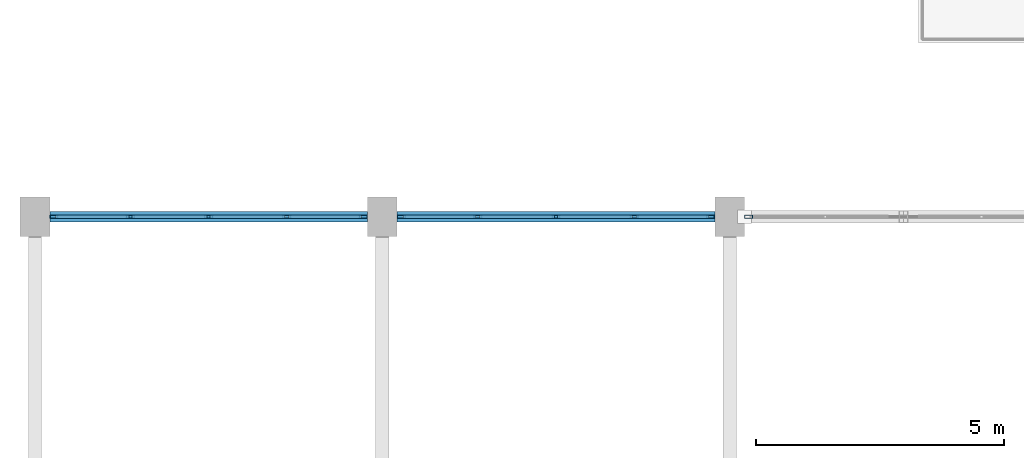
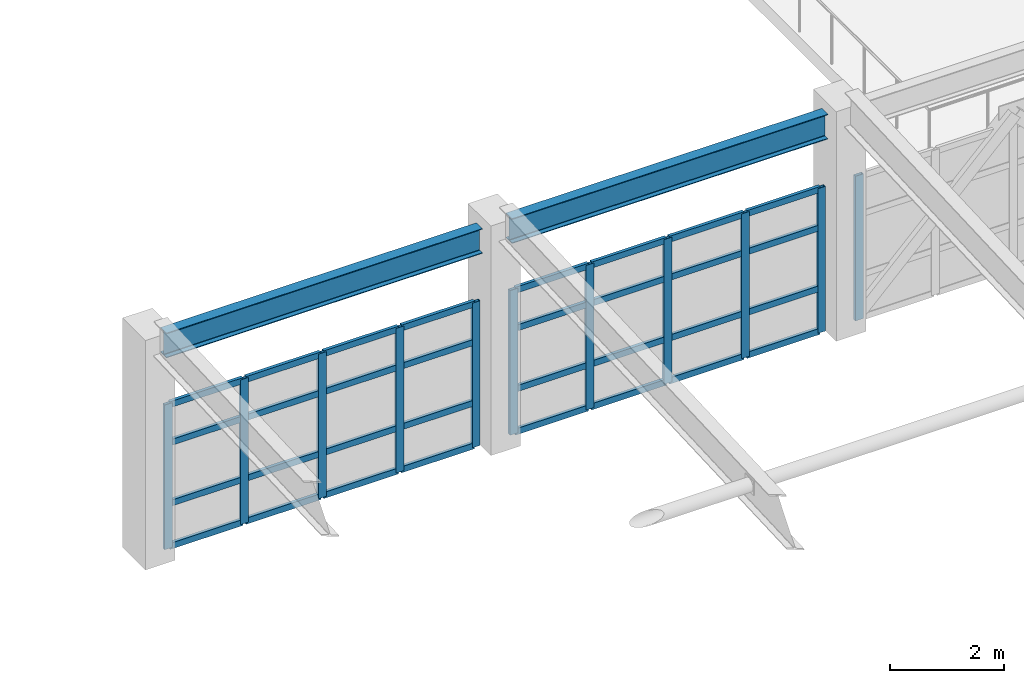
# One storey, part 10 of 150: 43 members, 2 beams, 3 elements without a shape of their own.
"""IFC4 building model written with IfcOpenShell, lengths in metres."""

from ifc_helpers import new_model, si_unit, direction, frame, origin, origin_2d, place, context, subcontext, project, spatial, hollow_rectangle, i_section, extrude, material, material_profile, profile_set, type_object, element, aggregate, save


model = new_model("IFC4")

# Units and contexts
model_context = context("Model", 3, precision=1e-05, world=origin(), true_north=direction((0.0, 1.0)))
body_context = subcontext(model_context, "Body", "Model", "MODEL_VIEW")
ifc_project = project(units=[si_unit("LENGTHUNIT", "METRE"), si_unit("AREAUNIT", "SQUARE_METRE"), si_unit("VOLUMEUNIT", "CUBIC_METRE"), si_unit("PLANEANGLEUNIT", "RADIAN"), si_unit("MASSUNIT", "GRAM", prefix="KILO")], contexts=[model_context])

# Site, building, storey
site_placement = place(None, origin())
site = spatial("IfcSite", under=ifc_project, at=site_placement, CompositionType="ELEMENT")
building_placement = place(site_placement, origin())
building = spatial("IfcBuilding", under=site, at=building_placement, Name="Kestramere Prow Commons", CompositionType="ELEMENT")
storey_placement = place(building_placement, frame((0.0, 0.0, 4.5)))
storey = spatial("IfcBuildingStorey", under=building, at=storey_placement, Name="L01", CompositionType="ELEMENT", Elevation=4.5)

# Beams
ifc_material_1 = material(Name="Steel S355JR", Category="steel")
ifc_material_profile_1 = material_profile(ifc_material_1, i_section(OverallWidth=0.209228515625, OverallDepth=0.533203125, WebThickness=0.010009765625, FlangeThickness=0.015625, FilletRadius=0.0126953125, at=origin_2d()), Name="UB 533x210x92")
ifc_profile_set_1 = profile_set([ifc_material_profile_1], Name="Steel S355JR")
beam_type = type_object("IfcBeamType", Name="BM-HL-GAL UB 533x210x92 (EX)", PredefinedType="BEAM", material=ifc_profile_set_1)
for number, where, z_axis, x_axis, name in (
    (1, (2.5, 43.5, 4.418701171875), (1.0, 0.0, 0.0), (0.0, 1.0, 0.0), "Hall Roof Eave Tie Girder 1N"),
    (2, (9.5, 43.5, 4.418701171875), (1.0, 0.0, 0.0), (0.0, 1.0, 0.0), "Hall Roof Eave Tie Girder 2N"),
):
    element("IfcBeam", number, at=place(storey_placement, frame(where, z_axis=z_axis, x_axis=x_axis)), inside=storey, type_object=beam_type, Name=name, PredefinedType="BEAM", context=body_context, shape_type="SweptSolid", body=[
        extrude(i_section(OverallWidth=0.209228515625, OverallDepth=0.533203125, WebThickness=0.010009765625, FlangeThickness=0.015625, FilletRadius=0.0126953125, at=origin_2d()), origin(), (0.0, 0.0, 1.0), 6.39990234375),
    ])

# Curtain wall, members
ifc_material_2 = material(Name="Anodised Aluminium and Low-E Glass", Category="aluminium")
curtain_wall_type = type_object("IfcCurtainWallType", Name="CW-12 Glazed Curtain Wall 6300x3100", PredefinedType="USERDEFINED", material=ifc_material_2)
curtain_wall_1_placement = place(storey_placement, origin())
curtain_wall_1 = element("IfcCurtainWall", 3, at=curtain_wall_1_placement, inside=storey, type_object=curtain_wall_type, Name="Hall North Clerestory Curtain Wall L01-1", ObjectType="GLAZED CURTAIN WALL", PredefinedType="USERDEFINED")
ifc_material_3 = material(Name="Anodised Aluminium 6063-T6", Category="aluminium")
ifc_material_profile_2 = material_profile(ifc_material_3, hollow_rectangle(XDim=0.06494140625, YDim=0.159912109375, WallThickness=0.00390625, at=origin_2d()), Name="ALU-MUL 65x160")
ifc_profile_set_2 = profile_set([ifc_material_profile_2], Name="Anodised Aluminium 6063-T6")
member_type_1 = type_object("IfcMemberType", Name="CW-MUL-65x160", PredefinedType="MULLION", material=ifc_profile_set_2)
member_1_placement = place(storey_placement, frame((2.58251953125, 43.5, 0.0), z_axis=(0.0, 0.0, 1.0), x_axis=(0.0, 1.0, 0.0)))
member_1 = element("IfcMember", 4, at=member_1_placement, type_object=member_type_1, Name="CW-12 mullion 1", PredefinedType="MULLION", context=body_context, shape_type="SweptSolid", body=[
    extrude(hollow_rectangle(XDim=0.06494140625, YDim=0.159912109375, WallThickness=0.00390625, at=origin_2d()), origin(), (0.0, 0.0, 1.0), 3.10009765625),
])
member_2_placement = place(storey_placement, frame((4.125, 43.5, 0.0), z_axis=(0.0, 0.0, 1.0), x_axis=(0.0, 1.0, 0.0)))
member_2 = element("IfcMember", 5, at=member_2_placement, type_object=member_type_1, Name="CW-12 mullion 2", PredefinedType="MULLION", context=body_context, shape_type="SweptSolid", body=[
    extrude(hollow_rectangle(XDim=0.06494140625, YDim=0.159912109375, WallThickness=0.00390625, at=origin_2d()), origin(), (0.0, 0.0, 1.0), 3.10009765625),
])
member_3_placement = place(storey_placement, frame((5.699951171875, 43.5, 0.0), z_axis=(0.0, 0.0, 1.0), x_axis=(0.0, 1.0, 0.0)))
member_3 = element("IfcMember", 6, at=member_3_placement, type_object=member_type_1, Name="CW-12 mullion 3", PredefinedType="MULLION", context=body_context, shape_type="SweptSolid", body=[
    extrude(hollow_rectangle(XDim=0.06494140625, YDim=0.159912109375, WallThickness=0.00390625, at=origin_2d()), origin(), (0.0, 0.0, 1.0), 3.10009765625),
])
member_4_placement = place(storey_placement, frame((7.27490234375, 43.5, 0.0), z_axis=(0.0, 0.0, 1.0), x_axis=(0.0, 1.0, 0.0)))
member_4 = element("IfcMember", 7, at=member_4_placement, type_object=member_type_1, Name="CW-12 mullion 4", PredefinedType="MULLION", context=body_context, shape_type="SweptSolid", body=[
    extrude(hollow_rectangle(XDim=0.06494140625, YDim=0.159912109375, WallThickness=0.00390625, at=origin_2d()), origin(), (0.0, 0.0, 1.0), 3.10009765625),
])
member_5_placement = place(storey_placement, frame((8.8173828125, 43.5, 0.0), z_axis=(0.0, 0.0, 1.0), x_axis=(0.0, 1.0, 0.0)))
member_5 = element("IfcMember", 8, at=member_5_placement, type_object=member_type_1, Name="CW-12 mullion 5", PredefinedType="MULLION", context=body_context, shape_type="SweptSolid", body=[
    extrude(hollow_rectangle(XDim=0.06494140625, YDim=0.159912109375, WallThickness=0.00390625, at=origin_2d()), origin(), (0.0, 0.0, 1.0), 3.10009765625),
])

curtain_wall_2_placement = place(storey_placement, origin())
curtain_wall_2 = element("IfcCurtainWall", 9, at=curtain_wall_2_placement, inside=storey, type_object=curtain_wall_type, Name="Hall North Clerestory Curtain Wall L01-2", ObjectType="GLAZED CURTAIN WALL", PredefinedType="USERDEFINED")
member_6_placement = place(storey_placement, frame((9.58251953125, 43.5, 0.0), z_axis=(0.0, 0.0, 1.0), x_axis=(0.0, 1.0, 0.0)))
member_6 = element("IfcMember", 10, at=member_6_placement, type_object=member_type_1, Name="CW-12 mullion 1", PredefinedType="MULLION", context=body_context, shape_type="SweptSolid", body=[
    extrude(hollow_rectangle(XDim=0.06494140625, YDim=0.159912109375, WallThickness=0.00390625, at=origin_2d()), origin(), (0.0, 0.0, 1.0), 3.10009765625),
])
member_7_placement = place(storey_placement, frame((11.125, 43.5, 0.0), z_axis=(0.0, 0.0, 1.0), x_axis=(0.0, 1.0, 0.0)))
member_7 = element("IfcMember", 11, at=member_7_placement, type_object=member_type_1, Name="CW-12 mullion 2", PredefinedType="MULLION", context=body_context, shape_type="SweptSolid", body=[
    extrude(hollow_rectangle(XDim=0.06494140625, YDim=0.159912109375, WallThickness=0.00390625, at=origin_2d()), origin(), (0.0, 0.0, 1.0), 3.10009765625),
])
member_8_placement = place(storey_placement, frame((12.699951171875, 43.5, 0.0), z_axis=(0.0, 0.0, 1.0), x_axis=(0.0, 1.0, 0.0)))
member_8 = element("IfcMember", 12, at=member_8_placement, type_object=member_type_1, Name="CW-12 mullion 3", PredefinedType="MULLION", context=body_context, shape_type="SweptSolid", body=[
    extrude(hollow_rectangle(XDim=0.06494140625, YDim=0.159912109375, WallThickness=0.00390625, at=origin_2d()), origin(), (0.0, 0.0, 1.0), 3.10009765625),
])
member_9_placement = place(storey_placement, frame((14.27490234375, 43.5, 0.0), z_axis=(0.0, 0.0, 1.0), x_axis=(0.0, 1.0, 0.0)))
member_9 = element("IfcMember", 13, at=member_9_placement, type_object=member_type_1, Name="CW-12 mullion 4", PredefinedType="MULLION", context=body_context, shape_type="SweptSolid", body=[
    extrude(hollow_rectangle(XDim=0.06494140625, YDim=0.159912109375, WallThickness=0.00390625, at=origin_2d()), origin(), (0.0, 0.0, 1.0), 3.10009765625),
])
member_10_placement = place(storey_placement, frame((15.8173828125, 43.5, 0.0), z_axis=(0.0, 0.0, 1.0), x_axis=(0.0, 1.0, 0.0)))
member_10 = element("IfcMember", 14, at=member_10_placement, type_object=member_type_1, Name="CW-12 mullion 5", PredefinedType="MULLION", context=body_context, shape_type="SweptSolid", body=[
    extrude(hollow_rectangle(XDim=0.06494140625, YDim=0.159912109375, WallThickness=0.00390625, at=origin_2d()), origin(), (0.0, 0.0, 1.0), 3.10009765625),
])

# Curtain wall, member
curtain_wall_3_placement = place(storey_placement, origin())
curtain_wall_3 = element("IfcCurtainWall", 15, at=curtain_wall_3_placement, inside=storey, type_object=curtain_wall_type, Name="Hall North Clerestory Curtain Wall L01-3", ObjectType="GLAZED CURTAIN WALL", PredefinedType="USERDEFINED")
member_11_placement = place(storey_placement, frame((16.58251953125, 43.5, 0.0), z_axis=(0.0, 0.0, 1.0), x_axis=(0.0, 1.0, 0.0)))
member_11 = element("IfcMember", 16, at=member_11_placement, type_object=member_type_1, Name="CW-12 mullion 1", PredefinedType="MULLION", context=body_context, shape_type="SweptSolid", body=[
    extrude(hollow_rectangle(XDim=0.06494140625, YDim=0.159912109375, WallThickness=0.00390625, at=origin_2d()), origin(), (0.0, 0.0, 1.0), 3.10009765625),
])
aggregate(curtain_wall_3, [member_11])

# Member
ifc_material_profile_3 = material_profile(ifc_material_3, hollow_rectangle(XDim=0.06494140625, YDim=0.1298828125, WallThickness=0.00390625, at=origin_2d()), Name="ALU-TRN 65x130")
ifc_profile_set_3 = profile_set([ifc_material_profile_3], Name="Anodised Aluminium 6063-T6")
member_type_2 = type_object("IfcMemberType", Name="CW-TRN-65x130", PredefinedType="USERDEFINED", material=ifc_profile_set_3)
member_12_placement = place(storey_placement, frame((2.614990234375, 43.5, 0.032470703125), z_axis=(1.0, 0.0, 0.0), x_axis=(0.0, 1.0, 0.0)))
member_12 = element("IfcMember", 17, at=member_12_placement, type_object=member_type_2, Name="CW-12 transom 1.1", ObjectType="TRANSOM", PredefinedType="USERDEFINED", context=body_context, shape_type="SweptSolid", body=[
    extrude(hollow_rectangle(XDim=0.06494140625, YDim=0.1298828125, WallThickness=0.00390625, at=origin_2d()), origin(), (0.0, 0.0, 1.0), 1.4775390625),
])

member_13_placement = place(storey_placement, frame((2.614990234375, 43.5, 0.949951171875), z_axis=(1.0, 0.0, 0.0), x_axis=(0.0, 1.0, 0.0)))
member_13 = element("IfcMember", 18, at=member_13_placement, type_object=member_type_2, Name="CW-12 transom 1.2", ObjectType="TRANSOM", PredefinedType="USERDEFINED", context=body_context, shape_type="SweptSolid", body=[
    extrude(hollow_rectangle(XDim=0.06494140625, YDim=0.1298828125, WallThickness=0.00390625, at=origin_2d()), origin(), (0.0, 0.0, 1.0), 1.4775390625),
])

member_14_placement = place(storey_placement, frame((2.614990234375, 43.5, 2.25), z_axis=(1.0, 0.0, 0.0), x_axis=(0.0, 1.0, 0.0)))
member_14 = element("IfcMember", 19, at=member_14_placement, type_object=member_type_2, Name="CW-12 transom 1.3", ObjectType="TRANSOM", PredefinedType="USERDEFINED", context=body_context, shape_type="SweptSolid", body=[
    extrude(hollow_rectangle(XDim=0.06494140625, YDim=0.1298828125, WallThickness=0.00390625, at=origin_2d()), origin(), (0.0, 0.0, 1.0), 1.4775390625),
])

member_15_placement = place(storey_placement, frame((2.614990234375, 43.5, 3.0673828125), z_axis=(1.0, 0.0, 0.0), x_axis=(0.0, 1.0, 0.0)))
member_15 = element("IfcMember", 20, at=member_15_placement, type_object=member_type_2, Name="CW-12 transom 1.4", ObjectType="TRANSOM", PredefinedType="USERDEFINED", context=body_context, shape_type="SweptSolid", body=[
    extrude(hollow_rectangle(XDim=0.06494140625, YDim=0.1298828125, WallThickness=0.00390625, at=origin_2d()), origin(), (0.0, 0.0, 1.0), 1.4775390625),
])

member_16_placement = place(storey_placement, frame((4.157470703125, 43.5, 0.032470703125), z_axis=(1.0, 0.0, 0.0), x_axis=(0.0, 1.0, 0.0)))
member_16 = element("IfcMember", 21, at=member_16_placement, type_object=member_type_2, Name="CW-12 transom 2.1", ObjectType="TRANSOM", PredefinedType="USERDEFINED", context=body_context, shape_type="SweptSolid", body=[
    extrude(hollow_rectangle(XDim=0.06494140625, YDim=0.1298828125, WallThickness=0.00390625, at=origin_2d()), origin(), (0.0, 0.0, 1.0), 1.510009765625),
])

member_17_placement = place(storey_placement, frame((4.157470703125, 43.5, 0.949951171875), z_axis=(1.0, 0.0, 0.0), x_axis=(0.0, 1.0, 0.0)))
member_17 = element("IfcMember", 22, at=member_17_placement, type_object=member_type_2, Name="CW-12 transom 2.2", ObjectType="TRANSOM", PredefinedType="USERDEFINED", context=body_context, shape_type="SweptSolid", body=[
    extrude(hollow_rectangle(XDim=0.06494140625, YDim=0.1298828125, WallThickness=0.00390625, at=origin_2d()), origin(), (0.0, 0.0, 1.0), 1.510009765625),
])

member_18_placement = place(storey_placement, frame((4.157470703125, 43.5, 2.25), z_axis=(1.0, 0.0, 0.0), x_axis=(0.0, 1.0, 0.0)))
member_18 = element("IfcMember", 23, at=member_18_placement, type_object=member_type_2, Name="CW-12 transom 2.3", ObjectType="TRANSOM", PredefinedType="USERDEFINED", context=body_context, shape_type="SweptSolid", body=[
    extrude(hollow_rectangle(XDim=0.06494140625, YDim=0.1298828125, WallThickness=0.00390625, at=origin_2d()), origin(), (0.0, 0.0, 1.0), 1.510009765625),
])

member_19_placement = place(storey_placement, frame((4.157470703125, 43.5, 3.0673828125), z_axis=(1.0, 0.0, 0.0), x_axis=(0.0, 1.0, 0.0)))
member_19 = element("IfcMember", 24, at=member_19_placement, type_object=member_type_2, Name="CW-12 transom 2.4", ObjectType="TRANSOM", PredefinedType="USERDEFINED", context=body_context, shape_type="SweptSolid", body=[
    extrude(hollow_rectangle(XDim=0.06494140625, YDim=0.1298828125, WallThickness=0.00390625, at=origin_2d()), origin(), (0.0, 0.0, 1.0), 1.510009765625),
])

member_20_placement = place(storey_placement, frame((5.732421875, 43.5, 0.032470703125), z_axis=(1.0, 0.0, 0.0), x_axis=(0.0, 1.0, 0.0)))
member_20 = element("IfcMember", 25, at=member_20_placement, type_object=member_type_2, Name="CW-12 transom 3.1", ObjectType="TRANSOM", PredefinedType="USERDEFINED", context=body_context, shape_type="SweptSolid", body=[
    extrude(hollow_rectangle(XDim=0.06494140625, YDim=0.1298828125, WallThickness=0.00390625, at=origin_2d()), origin(), (0.0, 0.0, 1.0), 1.510009765625),
])

member_21_placement = place(storey_placement, frame((5.732421875, 43.5, 0.949951171875), z_axis=(1.0, 0.0, 0.0), x_axis=(0.0, 1.0, 0.0)))
member_21 = element("IfcMember", 26, at=member_21_placement, type_object=member_type_2, Name="CW-12 transom 3.2", ObjectType="TRANSOM", PredefinedType="USERDEFINED", context=body_context, shape_type="SweptSolid", body=[
    extrude(hollow_rectangle(XDim=0.06494140625, YDim=0.1298828125, WallThickness=0.00390625, at=origin_2d()), origin(), (0.0, 0.0, 1.0), 1.510009765625),
])

member_22_placement = place(storey_placement, frame((5.732421875, 43.5, 2.25), z_axis=(1.0, 0.0, 0.0), x_axis=(0.0, 1.0, 0.0)))
member_22 = element("IfcMember", 27, at=member_22_placement, type_object=member_type_2, Name="CW-12 transom 3.3", ObjectType="TRANSOM", PredefinedType="USERDEFINED", context=body_context, shape_type="SweptSolid", body=[
    extrude(hollow_rectangle(XDim=0.06494140625, YDim=0.1298828125, WallThickness=0.00390625, at=origin_2d()), origin(), (0.0, 0.0, 1.0), 1.510009765625),
])

member_23_placement = place(storey_placement, frame((5.732421875, 43.5, 3.0673828125), z_axis=(1.0, 0.0, 0.0), x_axis=(0.0, 1.0, 0.0)))
member_23 = element("IfcMember", 28, at=member_23_placement, type_object=member_type_2, Name="CW-12 transom 3.4", ObjectType="TRANSOM", PredefinedType="USERDEFINED", context=body_context, shape_type="SweptSolid", body=[
    extrude(hollow_rectangle(XDim=0.06494140625, YDim=0.1298828125, WallThickness=0.00390625, at=origin_2d()), origin(), (0.0, 0.0, 1.0), 1.510009765625),
])

member_24_placement = place(storey_placement, frame((7.3076171875, 43.5, 0.032470703125), z_axis=(1.0, 0.0, 0.0), x_axis=(0.0, 1.0, 0.0)))
member_24 = element("IfcMember", 29, at=member_24_placement, type_object=member_type_2, Name="CW-12 transom 4.1", ObjectType="TRANSOM", PredefinedType="USERDEFINED", context=body_context, shape_type="SweptSolid", body=[
    extrude(hollow_rectangle(XDim=0.06494140625, YDim=0.1298828125, WallThickness=0.00390625, at=origin_2d()), origin(), (0.0, 0.0, 1.0), 1.477294921875),
])

member_25_placement = place(storey_placement, frame((7.3076171875, 43.5, 0.949951171875), z_axis=(1.0, 0.0, 0.0), x_axis=(0.0, 1.0, 0.0)))
member_25 = element("IfcMember", 30, at=member_25_placement, type_object=member_type_2, Name="CW-12 transom 4.2", ObjectType="TRANSOM", PredefinedType="USERDEFINED", context=body_context, shape_type="SweptSolid", body=[
    extrude(hollow_rectangle(XDim=0.06494140625, YDim=0.1298828125, WallThickness=0.00390625, at=origin_2d()), origin(), (0.0, 0.0, 1.0), 1.477294921875),
])

member_26_placement = place(storey_placement, frame((7.3076171875, 43.5, 2.25), z_axis=(1.0, 0.0, 0.0), x_axis=(0.0, 1.0, 0.0)))
member_26 = element("IfcMember", 31, at=member_26_placement, type_object=member_type_2, Name="CW-12 transom 4.3", ObjectType="TRANSOM", PredefinedType="USERDEFINED", context=body_context, shape_type="SweptSolid", body=[
    extrude(hollow_rectangle(XDim=0.06494140625, YDim=0.1298828125, WallThickness=0.00390625, at=origin_2d()), origin(), (0.0, 0.0, 1.0), 1.477294921875),
])

member_27_placement = place(storey_placement, frame((7.3076171875, 43.5, 3.0673828125), z_axis=(1.0, 0.0, 0.0), x_axis=(0.0, 1.0, 0.0)))
member_27 = element("IfcMember", 32, at=member_27_placement, type_object=member_type_2, Name="CW-12 transom 4.4", ObjectType="TRANSOM", PredefinedType="USERDEFINED", context=body_context, shape_type="SweptSolid", body=[
    extrude(hollow_rectangle(XDim=0.06494140625, YDim=0.1298828125, WallThickness=0.00390625, at=origin_2d()), origin(), (0.0, 0.0, 1.0), 1.477294921875),
])

aggregate(curtain_wall_1, [member_1, member_2, member_3, member_4, member_5, member_12, member_13, member_14, member_15, member_16, member_17, member_18, member_19, member_20, member_21, member_22, member_23, member_24, member_25, member_26, member_27])

member_28_placement = place(storey_placement, frame((9.614990234375, 43.5, 0.032470703125), z_axis=(1.0, 0.0, 0.0), x_axis=(0.0, 1.0, 0.0)))
member_28 = element("IfcMember", 33, at=member_28_placement, type_object=member_type_2, Name="CW-12 transom 1.1", ObjectType="TRANSOM", PredefinedType="USERDEFINED", context=body_context, shape_type="SweptSolid", body=[
    extrude(hollow_rectangle(XDim=0.06494140625, YDim=0.1298828125, WallThickness=0.00390625, at=origin_2d()), origin(), (0.0, 0.0, 1.0), 1.4775390625),
])

member_29_placement = place(storey_placement, frame((9.614990234375, 43.5, 0.949951171875), z_axis=(1.0, 0.0, 0.0), x_axis=(0.0, 1.0, 0.0)))
member_29 = element("IfcMember", 34, at=member_29_placement, type_object=member_type_2, Name="CW-12 transom 1.2", ObjectType="TRANSOM", PredefinedType="USERDEFINED", context=body_context, shape_type="SweptSolid", body=[
    extrude(hollow_rectangle(XDim=0.06494140625, YDim=0.1298828125, WallThickness=0.00390625, at=origin_2d()), origin(), (0.0, 0.0, 1.0), 1.4775390625),
])

member_30_placement = place(storey_placement, frame((9.614990234375, 43.5, 2.25), z_axis=(1.0, 0.0, 0.0), x_axis=(0.0, 1.0, 0.0)))
member_30 = element("IfcMember", 35, at=member_30_placement, type_object=member_type_2, Name="CW-12 transom 1.3", ObjectType="TRANSOM", PredefinedType="USERDEFINED", context=body_context, shape_type="SweptSolid", body=[
    extrude(hollow_rectangle(XDim=0.06494140625, YDim=0.1298828125, WallThickness=0.00390625, at=origin_2d()), origin(), (0.0, 0.0, 1.0), 1.4775390625),
])

member_31_placement = place(storey_placement, frame((9.614990234375, 43.5, 3.0673828125), z_axis=(1.0, 0.0, 0.0), x_axis=(0.0, 1.0, 0.0)))
member_31 = element("IfcMember", 36, at=member_31_placement, type_object=member_type_2, Name="CW-12 transom 1.4", ObjectType="TRANSOM", PredefinedType="USERDEFINED", context=body_context, shape_type="SweptSolid", body=[
    extrude(hollow_rectangle(XDim=0.06494140625, YDim=0.1298828125, WallThickness=0.00390625, at=origin_2d()), origin(), (0.0, 0.0, 1.0), 1.4775390625),
])

member_32_placement = place(storey_placement, frame((11.157470703125, 43.5, 0.032470703125), z_axis=(1.0, 0.0, 0.0), x_axis=(0.0, 1.0, 0.0)))
member_32 = element("IfcMember", 37, at=member_32_placement, type_object=member_type_2, Name="CW-12 transom 2.1", ObjectType="TRANSOM", PredefinedType="USERDEFINED", context=body_context, shape_type="SweptSolid", body=[
    extrude(hollow_rectangle(XDim=0.06494140625, YDim=0.1298828125, WallThickness=0.00390625, at=origin_2d()), origin(), (0.0, 0.0, 1.0), 1.510009765625),
])

member_33_placement = place(storey_placement, frame((11.157470703125, 43.5, 0.949951171875), z_axis=(1.0, 0.0, 0.0), x_axis=(0.0, 1.0, 0.0)))
member_33 = element("IfcMember", 38, at=member_33_placement, type_object=member_type_2, Name="CW-12 transom 2.2", ObjectType="TRANSOM", PredefinedType="USERDEFINED", context=body_context, shape_type="SweptSolid", body=[
    extrude(hollow_rectangle(XDim=0.06494140625, YDim=0.1298828125, WallThickness=0.00390625, at=origin_2d()), origin(), (0.0, 0.0, 1.0), 1.510009765625),
])

member_34_placement = place(storey_placement, frame((11.157470703125, 43.5, 2.25), z_axis=(1.0, 0.0, 0.0), x_axis=(0.0, 1.0, 0.0)))
member_34 = element("IfcMember", 39, at=member_34_placement, type_object=member_type_2, Name="CW-12 transom 2.3", ObjectType="TRANSOM", PredefinedType="USERDEFINED", context=body_context, shape_type="SweptSolid", body=[
    extrude(hollow_rectangle(XDim=0.06494140625, YDim=0.1298828125, WallThickness=0.00390625, at=origin_2d()), origin(), (0.0, 0.0, 1.0), 1.510009765625),
])

member_35_placement = place(storey_placement, frame((11.157470703125, 43.5, 3.0673828125), z_axis=(1.0, 0.0, 0.0), x_axis=(0.0, 1.0, 0.0)))
member_35 = element("IfcMember", 40, at=member_35_placement, type_object=member_type_2, Name="CW-12 transom 2.4", ObjectType="TRANSOM", PredefinedType="USERDEFINED", context=body_context, shape_type="SweptSolid", body=[
    extrude(hollow_rectangle(XDim=0.06494140625, YDim=0.1298828125, WallThickness=0.00390625, at=origin_2d()), origin(), (0.0, 0.0, 1.0), 1.510009765625),
])

member_36_placement = place(storey_placement, frame((12.732421875, 43.5, 0.032470703125), z_axis=(1.0, 0.0, 0.0), x_axis=(0.0, 1.0, 0.0)))
member_36 = element("IfcMember", 41, at=member_36_placement, type_object=member_type_2, Name="CW-12 transom 3.1", ObjectType="TRANSOM", PredefinedType="USERDEFINED", context=body_context, shape_type="SweptSolid", body=[
    extrude(hollow_rectangle(XDim=0.06494140625, YDim=0.1298828125, WallThickness=0.00390625, at=origin_2d()), origin(), (0.0, 0.0, 1.0), 1.510009765625),
])

member_37_placement = place(storey_placement, frame((12.732421875, 43.5, 0.949951171875), z_axis=(1.0, 0.0, 0.0), x_axis=(0.0, 1.0, 0.0)))
member_37 = element("IfcMember", 42, at=member_37_placement, type_object=member_type_2, Name="CW-12 transom 3.2", ObjectType="TRANSOM", PredefinedType="USERDEFINED", context=body_context, shape_type="SweptSolid", body=[
    extrude(hollow_rectangle(XDim=0.06494140625, YDim=0.1298828125, WallThickness=0.00390625, at=origin_2d()), origin(), (0.0, 0.0, 1.0), 1.510009765625),
])

member_38_placement = place(storey_placement, frame((12.732421875, 43.5, 2.25), z_axis=(1.0, 0.0, 0.0), x_axis=(0.0, 1.0, 0.0)))
member_38 = element("IfcMember", 43, at=member_38_placement, type_object=member_type_2, Name="CW-12 transom 3.3", ObjectType="TRANSOM", PredefinedType="USERDEFINED", context=body_context, shape_type="SweptSolid", body=[
    extrude(hollow_rectangle(XDim=0.06494140625, YDim=0.1298828125, WallThickness=0.00390625, at=origin_2d()), origin(), (0.0, 0.0, 1.0), 1.510009765625),
])

member_39_placement = place(storey_placement, frame((12.732421875, 43.5, 3.0673828125), z_axis=(1.0, 0.0, 0.0), x_axis=(0.0, 1.0, 0.0)))
member_39 = element("IfcMember", 44, at=member_39_placement, type_object=member_type_2, Name="CW-12 transom 3.4", ObjectType="TRANSOM", PredefinedType="USERDEFINED", context=body_context, shape_type="SweptSolid", body=[
    extrude(hollow_rectangle(XDim=0.06494140625, YDim=0.1298828125, WallThickness=0.00390625, at=origin_2d()), origin(), (0.0, 0.0, 1.0), 1.510009765625),
])

member_40_placement = place(storey_placement, frame((14.3076171875, 43.5, 0.032470703125), z_axis=(1.0, 0.0, 0.0), x_axis=(0.0, 1.0, 0.0)))
member_40 = element("IfcMember", 45, at=member_40_placement, type_object=member_type_2, Name="CW-12 transom 4.1", ObjectType="TRANSOM", PredefinedType="USERDEFINED", context=body_context, shape_type="SweptSolid", body=[
    extrude(hollow_rectangle(XDim=0.06494140625, YDim=0.1298828125, WallThickness=0.00390625, at=origin_2d()), origin(), (0.0, 0.0, 1.0), 1.477294921875),
])

member_41_placement = place(storey_placement, frame((14.3076171875, 43.5, 0.949951171875), z_axis=(1.0, 0.0, 0.0), x_axis=(0.0, 1.0, 0.0)))
member_41 = element("IfcMember", 46, at=member_41_placement, type_object=member_type_2, Name="CW-12 transom 4.2", ObjectType="TRANSOM", PredefinedType="USERDEFINED", context=body_context, shape_type="SweptSolid", body=[
    extrude(hollow_rectangle(XDim=0.06494140625, YDim=0.1298828125, WallThickness=0.00390625, at=origin_2d()), origin(), (0.0, 0.0, 1.0), 1.477294921875),
])

member_42_placement = place(storey_placement, frame((14.3076171875, 43.5, 2.25), z_axis=(1.0, 0.0, 0.0), x_axis=(0.0, 1.0, 0.0)))
member_42 = element("IfcMember", 47, at=member_42_placement, type_object=member_type_2, Name="CW-12 transom 4.3", ObjectType="TRANSOM", PredefinedType="USERDEFINED", context=body_context, shape_type="SweptSolid", body=[
    extrude(hollow_rectangle(XDim=0.06494140625, YDim=0.1298828125, WallThickness=0.00390625, at=origin_2d()), origin(), (0.0, 0.0, 1.0), 1.477294921875),
])

member_43_placement = place(storey_placement, frame((14.3076171875, 43.5, 3.0673828125), z_axis=(1.0, 0.0, 0.0), x_axis=(0.0, 1.0, 0.0)))
member_43 = element("IfcMember", 48, at=member_43_placement, type_object=member_type_2, Name="CW-12 transom 4.4", ObjectType="TRANSOM", PredefinedType="USERDEFINED", context=body_context, shape_type="SweptSolid", body=[
    extrude(hollow_rectangle(XDim=0.06494140625, YDim=0.1298828125, WallThickness=0.00390625, at=origin_2d()), origin(), (0.0, 0.0, 1.0), 1.477294921875),
])

aggregate(curtain_wall_2, [member_6, member_7, member_8, member_9, member_10, member_28, member_29, member_30, member_31, member_32, member_33, member_34, member_35, member_36, member_37, member_38, member_39, member_40, member_41, member_42, member_43])

save(model, "model.ifc")
